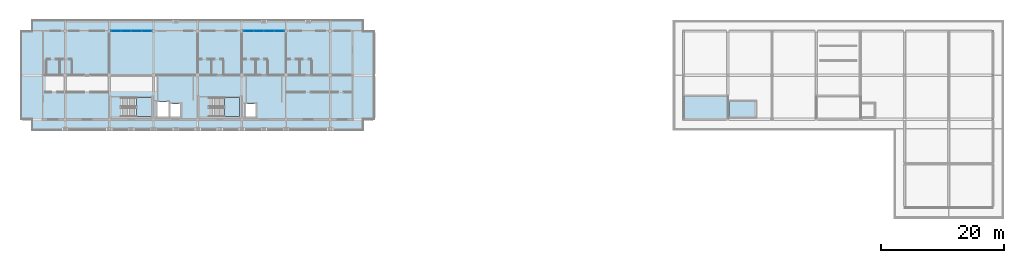
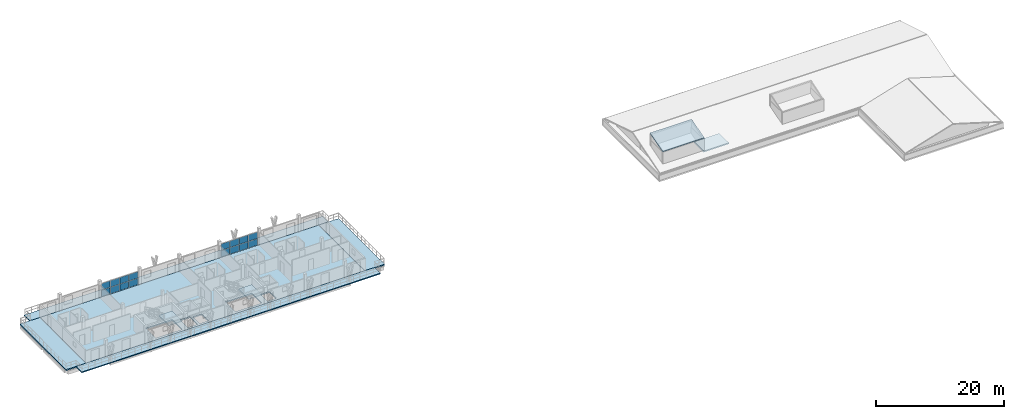
# One storey, part 11 of 19: 16 plates, 9 slabs, 4 elements without a shape of their own.
"""IFC4 building model written with IfcOpenShell, lengths in metres."""

from ifc_helpers import new_model, si_unit, direction, frame, origin, origin_2d, place, context, subcontext, project, spatial, polyline, rectangle, outline, extrude, material, layer, layer_set, type_object, element, aggregate, save


model = new_model("IFC4")

# Units and contexts
model_context = context("Model", 3, precision=1e-05, world=origin(), true_north=direction((0.0, 1.0)))
body_context = subcontext(model_context, "Body", "Model", "MODEL_VIEW")
ifc_project = project(units=[si_unit("LENGTHUNIT", "METRE"), si_unit("AREAUNIT", "SQUARE_METRE"), si_unit("VOLUMEUNIT", "CUBIC_METRE"), si_unit("PLANEANGLEUNIT", "RADIAN"), si_unit("MASSUNIT", "GRAM", prefix="KILO")], contexts=[model_context])

# Site, building, storey
site_placement = place(None, origin())
site = spatial("IfcSite", under=ifc_project, at=site_placement, CompositionType="ELEMENT")
building_placement = place(site_placement, origin())
building = spatial("IfcBuilding", under=site, at=building_placement, Name="Suanplinth Sawtooth Commons", CompositionType="ELEMENT")
storey_placement = place(building_placement, frame((0.0, 0.0, 44.39990234375)))
storey = spatial("IfcBuildingStorey", under=building, at=storey_placement, Name="L13", CompositionType="ELEMENT", Elevation=44.39990234375)

# Curtain wall, plates
ifc_material_1 = material(Name="Anodized aluminium and low-E glazing", Category="aluminium")
curtain_wall_type = type_object("IfcCurtainWallType", Name="CW-06", PredefinedType="USERDEFINED", material=ifc_material_1)
curtain_wall_1_placement = place(storey_placement, origin())
curtain_wall_1 = element("IfcCurtainWall", 1, at=curtain_wall_1_placement, inside=storey, type_object=curtain_wall_type, Name="Curtain Wall CW-L13-A-LOUNGE-2", ObjectType="CURTAIN WALL", PredefinedType="USERDEFINED")
ifc_material_2 = material(Name="Tempered low-E double glazing", Category="glass")
ifc_layer_1 = layer(ifc_material_2, 0.028076171875, Name="Vision low-E insulated glazing unit 28mm")
ifc_layer_set_1 = layer_set([ifc_layer_1], Name="Tempered low-E double glazing")
plate_type = type_object("IfcPlateType", Name="PL-05", PredefinedType="CURTAIN_PANEL", material=ifc_layer_set_1)
plate_1_placement = place(storey_placement, frame((44.3037109375, 122.39990234375, 0.06494140625), z_axis=(0.0, 0.0, 1.0), x_axis=(1.0, 0.0, 0.0)))
plate_1 = element("IfcPlate", 2, at=plate_1_placement, type_object=plate_type, Name="CW-06 panel 1.1", PredefinedType="CURTAIN_PANEL", context=body_context, shape_type="SweptSolid", body=[
    extrude(rectangle(XDim=1.577392578125, YDim=0.028076171875, at=origin_2d()), origin(), (0.0, 0.0, 1.0), 1.217529296875),
])
plate_2_placement = place(storey_placement, frame((44.3037109375, 122.39990234375, 1.34765625), z_axis=(0.0, 0.0, 1.0), x_axis=(1.0, 0.0, 0.0)))
plate_2 = element("IfcPlate", 3, at=plate_2_placement, type_object=plate_type, Name="CW-06 panel 1.2", PredefinedType="CURTAIN_PANEL", context=body_context, shape_type="SweptSolid", body=[
    extrude(rectangle(XDim=1.577392578125, YDim=0.028076171875, at=origin_2d()), origin(), (0.0, 0.0, 1.0), 1.217529296875),
])
plate_3_placement = place(storey_placement, frame((45.96240234375, 122.39990234375, 0.06494140625), z_axis=(0.0, 0.0, 1.0), x_axis=(1.0, 0.0, 0.0)))
plate_3 = element("IfcPlate", 4, at=plate_3_placement, type_object=plate_type, Name="CW-06 panel 2.1", PredefinedType="CURTAIN_PANEL", context=body_context, shape_type="SweptSolid", body=[
    extrude(rectangle(XDim=1.610107421875, YDim=0.028076171875, at=origin_2d()), origin(), (0.0, 0.0, 1.0), 1.217529296875),
])
plate_4_placement = place(storey_placement, frame((45.96240234375, 122.39990234375, 1.34765625), z_axis=(0.0, 0.0, 1.0), x_axis=(1.0, 0.0, 0.0)))
plate_4 = element("IfcPlate", 5, at=plate_4_placement, type_object=plate_type, Name="CW-06 panel 2.2", PredefinedType="CURTAIN_PANEL", context=body_context, shape_type="SweptSolid", body=[
    extrude(rectangle(XDim=1.610107421875, YDim=0.028076171875, at=origin_2d()), origin(), (0.0, 0.0, 1.0), 1.217529296875),
])
plate_5_placement = place(storey_placement, frame((47.637451171875, 122.39990234375, 0.06494140625), z_axis=(0.0, 0.0, 1.0), x_axis=(1.0, 0.0, 0.0)))
plate_5 = element("IfcPlate", 6, at=plate_5_placement, type_object=plate_type, Name="CW-06 panel 3.1", PredefinedType="CURTAIN_PANEL", context=body_context, shape_type="SweptSolid", body=[
    extrude(rectangle(XDim=1.610107421875, YDim=0.028076171875, at=origin_2d()), origin(), (0.0, 0.0, 1.0), 1.217529296875),
])
plate_6_placement = place(storey_placement, frame((47.637451171875, 122.39990234375, 1.34765625), z_axis=(0.0, 0.0, 1.0), x_axis=(1.0, 0.0, 0.0)))
plate_6 = element("IfcPlate", 7, at=plate_6_placement, type_object=plate_type, Name="CW-06 panel 3.2", PredefinedType="CURTAIN_PANEL", context=body_context, shape_type="SweptSolid", body=[
    extrude(rectangle(XDim=1.610107421875, YDim=0.028076171875, at=origin_2d()), origin(), (0.0, 0.0, 1.0), 1.217529296875),
])
plate_7_placement = place(storey_placement, frame((49.296142578125, 122.39990234375, 0.06494140625), z_axis=(0.0, 0.0, 1.0), x_axis=(1.0, 0.0, 0.0)))
plate_7 = element("IfcPlate", 8, at=plate_7_placement, type_object=plate_type, Name="CW-06 panel 4.1", PredefinedType="CURTAIN_PANEL", context=body_context, shape_type="SweptSolid", body=[
    extrude(rectangle(XDim=1.577392578125, YDim=0.028076171875, at=origin_2d()), origin(), (0.0, 0.0, 1.0), 1.217529296875),
])
plate_8_placement = place(storey_placement, frame((49.296142578125, 122.39990234375, 1.34765625), z_axis=(0.0, 0.0, 1.0), x_axis=(1.0, 0.0, 0.0)))
plate_8 = element("IfcPlate", 9, at=plate_8_placement, type_object=plate_type, Name="CW-06 panel 4.2", PredefinedType="CURTAIN_PANEL", context=body_context, shape_type="SweptSolid", body=[
    extrude(rectangle(XDim=1.577392578125, YDim=0.028076171875, at=origin_2d()), origin(), (0.0, 0.0, 1.0), 1.217529296875),
])
aggregate(curtain_wall_1, [plate_1, plate_2, plate_3, plate_4, plate_5, plate_6, plate_7, plate_8])

curtain_wall_2_placement = place(storey_placement, origin())
curtain_wall_2 = element("IfcCurtainWall", 10, at=curtain_wall_2_placement, inside=storey, type_object=curtain_wall_type, Name="Curtain Wall CW-L13-A-LOUNGE-5", ObjectType="CURTAIN WALL", PredefinedType="USERDEFINED")
plate_9_placement = place(storey_placement, frame((65.90380859375, 122.39990234375, 0.06494140625), z_axis=(0.0, 0.0, 1.0), x_axis=(1.0, 0.0, 0.0)))
plate_9 = element("IfcPlate", 11, at=plate_9_placement, type_object=plate_type, Name="CW-06 panel 1.1", PredefinedType="CURTAIN_PANEL", context=body_context, shape_type="SweptSolid", body=[
    extrude(rectangle(XDim=1.577392578125, YDim=0.028076171875, at=origin_2d()), origin(), (0.0, 0.0, 1.0), 1.217529296875),
])
plate_10_placement = place(storey_placement, frame((65.90380859375, 122.39990234375, 1.34765625), z_axis=(0.0, 0.0, 1.0), x_axis=(1.0, 0.0, 0.0)))
plate_10 = element("IfcPlate", 12, at=plate_10_placement, type_object=plate_type, Name="CW-06 panel 1.2", PredefinedType="CURTAIN_PANEL", context=body_context, shape_type="SweptSolid", body=[
    extrude(rectangle(XDim=1.577392578125, YDim=0.028076171875, at=origin_2d()), origin(), (0.0, 0.0, 1.0), 1.217529296875),
])
plate_11_placement = place(storey_placement, frame((67.5625, 122.39990234375, 0.06494140625), z_axis=(0.0, 0.0, 1.0), x_axis=(1.0, 0.0, 0.0)))
plate_11 = element("IfcPlate", 13, at=plate_11_placement, type_object=plate_type, Name="CW-06 panel 2.1", PredefinedType="CURTAIN_PANEL", context=body_context, shape_type="SweptSolid", body=[
    extrude(rectangle(XDim=1.610107421875, YDim=0.028076171875, at=origin_2d()), origin(), (0.0, 0.0, 1.0), 1.217529296875),
])
plate_12_placement = place(storey_placement, frame((67.5625, 122.39990234375, 1.34765625), z_axis=(0.0, 0.0, 1.0), x_axis=(1.0, 0.0, 0.0)))
plate_12 = element("IfcPlate", 14, at=plate_12_placement, type_object=plate_type, Name="CW-06 panel 2.2", PredefinedType="CURTAIN_PANEL", context=body_context, shape_type="SweptSolid", body=[
    extrude(rectangle(XDim=1.610107421875, YDim=0.028076171875, at=origin_2d()), origin(), (0.0, 0.0, 1.0), 1.217529296875),
])
plate_13_placement = place(storey_placement, frame((69.237548828125, 122.39990234375, 0.06494140625), z_axis=(0.0, 0.0, 1.0), x_axis=(1.0, 0.0, 0.0)))
plate_13 = element("IfcPlate", 15, at=plate_13_placement, type_object=plate_type, Name="CW-06 panel 3.1", PredefinedType="CURTAIN_PANEL", context=body_context, shape_type="SweptSolid", body=[
    extrude(rectangle(XDim=1.610107421875, YDim=0.028076171875, at=origin_2d()), origin(), (0.0, 0.0, 1.0), 1.217529296875),
])
plate_14_placement = place(storey_placement, frame((69.237548828125, 122.39990234375, 1.34765625), z_axis=(0.0, 0.0, 1.0), x_axis=(1.0, 0.0, 0.0)))
plate_14 = element("IfcPlate", 16, at=plate_14_placement, type_object=plate_type, Name="CW-06 panel 3.2", PredefinedType="CURTAIN_PANEL", context=body_context, shape_type="SweptSolid", body=[
    extrude(rectangle(XDim=1.610107421875, YDim=0.028076171875, at=origin_2d()), origin(), (0.0, 0.0, 1.0), 1.217529296875),
])
plate_15_placement = place(storey_placement, frame((70.896240234375, 122.39990234375, 0.06494140625), z_axis=(0.0, 0.0, 1.0), x_axis=(1.0, 0.0, 0.0)))
plate_15 = element("IfcPlate", 17, at=plate_15_placement, type_object=plate_type, Name="CW-06 panel 4.1", PredefinedType="CURTAIN_PANEL", context=body_context, shape_type="SweptSolid", body=[
    extrude(rectangle(XDim=1.577392578125, YDim=0.028076171875, at=origin_2d()), origin(), (0.0, 0.0, 1.0), 1.217529296875),
])
plate_16_placement = place(storey_placement, frame((70.896240234375, 122.39990234375, 1.34765625), z_axis=(0.0, 0.0, 1.0), x_axis=(1.0, 0.0, 0.0)))
plate_16 = element("IfcPlate", 18, at=plate_16_placement, type_object=plate_type, Name="CW-06 panel 4.2", PredefinedType="CURTAIN_PANEL", context=body_context, shape_type="SweptSolid", body=[
    extrude(rectangle(XDim=1.577392578125, YDim=0.028076171875, at=origin_2d()), origin(), (0.0, 0.0, 1.0), 1.217529296875),
])
aggregate(curtain_wall_2, [plate_9, plate_10, plate_11, plate_12, plate_13, plate_14, plate_15, plate_16])

# Slabs
ifc_material_3 = material(Name="Precast concrete C40/50", Category="concrete")
ifc_layer_2 = layer(ifc_material_3, 0.179931640625, Name="Wrap-around cantilevered precast balcony slab 180mm")
ifc_layer_set_2 = layer_set([ifc_layer_2], Name="Precast concrete C40/50")
slab_type_1 = type_object("IfcSlabType", Name="S-BL01", PredefinedType="FLOOR", material=ifc_layer_set_2)
slab_1_placement = place(storey_placement, frame((0.0, 0.0, -0.179931640625)))
element("IfcSlab", 19, at=slab_1_placement, inside=storey, type_object=slab_type_1, Name="L13 Block A Wrap-Around Balcony N", PredefinedType="FLOOR", context=body_context, shape_type="SweptSolid", body=[
    extrude(outline(polyline([(30.60009765625, 124.199951171875), (84.60009765625, 124.199951171875), (84.60009765625, 122.39990234375), (30.60009765625, 122.39990234375), (30.60009765625, 124.199951171875)])), origin(), (0.0, 0.0, 1.0), 0.179931640625),
])
slab_2_placement = place(storey_placement, frame((0.0, 0.0, -0.179931640625)))
element("IfcSlab", 20, at=slab_2_placement, inside=storey, type_object=slab_type_1, Name="L13 Block A Wrap-Around Balcony S", PredefinedType="FLOOR", context=body_context, shape_type="SweptSolid", body=[
    extrude(outline(polyline([(84.60009765625, 106.199951171875), (30.60009765625, 106.199951171875), (30.60009765625, 108.0), (84.60009765625, 108.0), (84.60009765625, 106.199951171875)])), origin(), (0.0, 0.0, 1.0), 0.179931640625),
])
ifc_layer_3 = layer(ifc_material_3, 0.25, Name="Precast hollow-core + topping floor slab 250mm")
ifc_layer_set_3 = layer_set([ifc_layer_3], Name="Precast concrete C40/50")
slab_type_2 = type_object("IfcSlabType", Name="S-FL01", PredefinedType="FLOOR", material=ifc_layer_set_3)
slab_3_placement = place(storey_placement, frame((0.0, 0.0, -0.25)))
element("IfcSlab", 21, at=slab_3_placement, inside=storey, type_object=slab_type_2, Name="L13 Block A Structural Floor Plate", PredefinedType="FLOOR", context=body_context, shape_type="SweptSolid", body=[
    extrude(outline(polyline([(32.39990234375, 108.0), (82.800048828125, 108.0), (82.800048828125, 122.39990234375), (32.39990234375, 122.39990234375), (32.39990234375, 108.0)]), holes=[polyline([(45.2900390625, 108.449951171875), (50.050048828125, 108.449951171875), (50.050048828125, 111.550048828125), (45.2900390625, 111.550048828125), (45.2900390625, 108.449951171875)]), polyline([(51.050048828125, 108.449951171875), (52.85009765625, 108.449951171875), (52.85009765625, 110.85009765625), (51.050048828125, 110.85009765625), (51.050048828125, 108.449951171875)]), polyline([(53.199951171875, 108.449951171875), (54.800048828125, 108.449951171875), (54.800048828125, 110.550048828125), (53.199951171875, 110.550048828125), (53.199951171875, 108.449951171875)]), polyline([(59.68994140625, 108.449951171875), (64.449951171875, 108.449951171875), (64.449951171875, 111.550048828125), (59.68994140625, 111.550048828125), (59.68994140625, 108.449951171875)]), polyline([(65.449951171875, 108.449951171875), (67.050048828125, 108.449951171875), (67.050048828125, 110.550048828125), (65.449951171875, 110.550048828125), (65.449951171875, 108.449951171875)])]), origin(), (0.0, 0.0, 1.0), 0.25),
])

# Stair, slab
ifc_material_4 = material(Name="Concrete C40/50", Category="concrete")
stair_type = type_object("IfcStairType", Name="ST-04", PredefinedType="USERDEFINED", material=ifc_material_4)
stair_1_placement = place(storey_placement, origin())
stair_1 = element("IfcStair", 22, at=stair_1_placement, inside=storey, type_object=stair_type, Name="L13 Exit Stair ST-N1", ObjectType="TWO_RETURN_STAIR", PredefinedType="USERDEFINED")
ifc_layer_4 = layer(ifc_material_4, 0.199951171875, Name="Reinforced concrete stair and ramp landing slab 200mm")
ifc_layer_set_4 = layer_set([ifc_layer_4], Name="Concrete C40/50")
slab_type_3 = type_object("IfcSlabType", Name="S-LD01", PredefinedType="LANDING", material=ifc_layer_set_4)
slab_4_placement = place(storey_placement, frame((0.0, 0.0, 1.4501953125)))
slab_4 = element("IfcSlab", 23, at=slab_4_placement, type_object=slab_type_3, Name="ST-04 landing 1", PredefinedType="LANDING", context=body_context, shape_type="SweptSolid", body=[
    extrude(outline(polyline([(47.614990234375, 108.449951171875), (50.050048828125, 108.449951171875), (50.050048828125, 111.550048828125), (47.614990234375, 111.550048828125), (47.614990234375, 108.449951171875)])), origin(), (0.0, 0.0, 1.0), 0.199951171875),
])
aggregate(stair_1, [slab_4])

stair_2_placement = place(storey_placement, origin())
stair_2 = element("IfcStair", 24, at=stair_2_placement, inside=storey, type_object=stair_type, Name="L13 Exit Stair ST-N2", ObjectType="TWO_RETURN_STAIR", PredefinedType="USERDEFINED")
slab_5_placement = place(storey_placement, frame((0.0, 0.0, 1.4501953125)))
slab_5 = element("IfcSlab", 25, at=slab_5_placement, type_object=slab_type_3, Name="ST-04 landing 1", PredefinedType="LANDING", context=body_context, shape_type="SweptSolid", body=[
    extrude(outline(polyline([(62.014892578125, 108.449951171875), (64.449951171875, 108.449951171875), (64.449951171875, 111.550048828125), (62.014892578125, 111.550048828125), (62.014892578125, 108.449951171875)])), origin(), (0.0, 0.0, 1.0), 0.199951171875),
])
aggregate(stair_2, [slab_5])

# Slabs
ifc_layer_5 = layer(ifc_material_4, 0.22998046875, Name="Reinforced concrete lift overrun roof slab 230mm")
ifc_layer_set_5 = layer_set([ifc_layer_5], Name="Concrete C40/50")
slab_type_4 = type_object("IfcSlabType", Name="S-OR01", PredefinedType="ROOF", material=ifc_layer_set_5)
slab_6_placement = place(storey_placement, frame((0.0, 0.0, 1.050048828125)))
element("IfcSlab", 26, at=slab_6_placement, inside=storey, type_object=slab_type_4, Name="Lift Overrun Roof Slab FL2-LF3", PredefinedType="ROOF", context=body_context, shape_type="SweptSolid", body=[
    extrude(outline(polyline([(144.1650390625, 108.14990234375), (148.699951171875, 108.14990234375), (148.699951171875, 111.14990234375), (144.1650390625, 111.14990234375), (144.1650390625, 108.14990234375)])), origin(), (0.0, 0.0, 1.0), 0.22998046875),
])
ifc_material_5 = material(Name="Concrete C35/45", Category="concrete")
ifc_layer_6 = layer(ifc_material_5, 0.159912109375, Name="Market gable & breezeway canopy roof slab 160mm")
ifc_layer_set_6 = layer_set([ifc_layer_6], Name="Concrete C35/45")
slab_type_5 = type_object("IfcSlabType", Name="S-RF03", PredefinedType="ROOF", material=ifc_layer_set_6)
slab_7_placement = place(storey_placement, frame((136.635009765625, 107.93505859375, 3.97998046875), z_axis=(0.0, -0.267791368904, 0.963476923824), x_axis=(1.0, 0.0, 0.0)))
element("IfcSlab", 27, at=slab_7_placement, inside=storey, type_object=slab_type_5, Name="Stair ST-E1 Roof Headhouse Roof", PredefinedType="ROOF", context=body_context, shape_type="SweptSolid", body=[
    extrude(outline(polyline([(0.0, 0.0), (7.530029296875, 0.0), (7.530029296875, 4.182797944845497), (0.0, 4.182797944845497), (0.0, 0.0)])), origin(), (0.0, 0.0, -1.0), 0.159912109375),
])
ifc_layer_7 = layer(ifc_material_4, 0.239990234375, Name="Stepped sky-terrace & courtyard garden slab 240mm")
ifc_layer_set_7 = layer_set([ifc_layer_7], Name="Concrete C40/50")
slab_type_6 = type_object("IfcSlabType", Name="S-TR01", PredefinedType="FLOOR", material=ifc_layer_set_7)
slab_8_placement = place(storey_placement, frame((0.0, 0.0, -0.239990234375)))
element("IfcSlab", 28, at=slab_8_placement, inside=storey, type_object=slab_type_6, Name="L13 Block A Stepped Sky-Terrace 1", PredefinedType="FLOOR", context=body_context, shape_type="SweptSolid", body=[
    extrude(outline(polyline([(28.800048828125, 108.0), (28.800048828125, 122.39990234375), (32.39990234375, 122.39990234375), (32.39990234375, 108.0), (28.800048828125, 108.0)])), origin(), (0.0, 0.0, 1.0), 0.239990234375),
])
slab_9_placement = place(storey_placement, frame((0.0, 0.0, -0.239990234375)))
element("IfcSlab", 29, at=slab_9_placement, inside=storey, type_object=slab_type_6, Name="L13 Block A Stepped Sky-Terrace 2", PredefinedType="FLOOR", context=body_context, shape_type="SweptSolid", body=[
    extrude(outline(polyline([(86.39990234375, 122.39990234375), (86.39990234375, 108.0), (82.800048828125, 108.0), (82.800048828125, 122.39990234375), (86.39990234375, 122.39990234375)])), origin(), (0.0, 0.0, 1.0), 0.239990234375),
])

save(model, "model.ifc")
